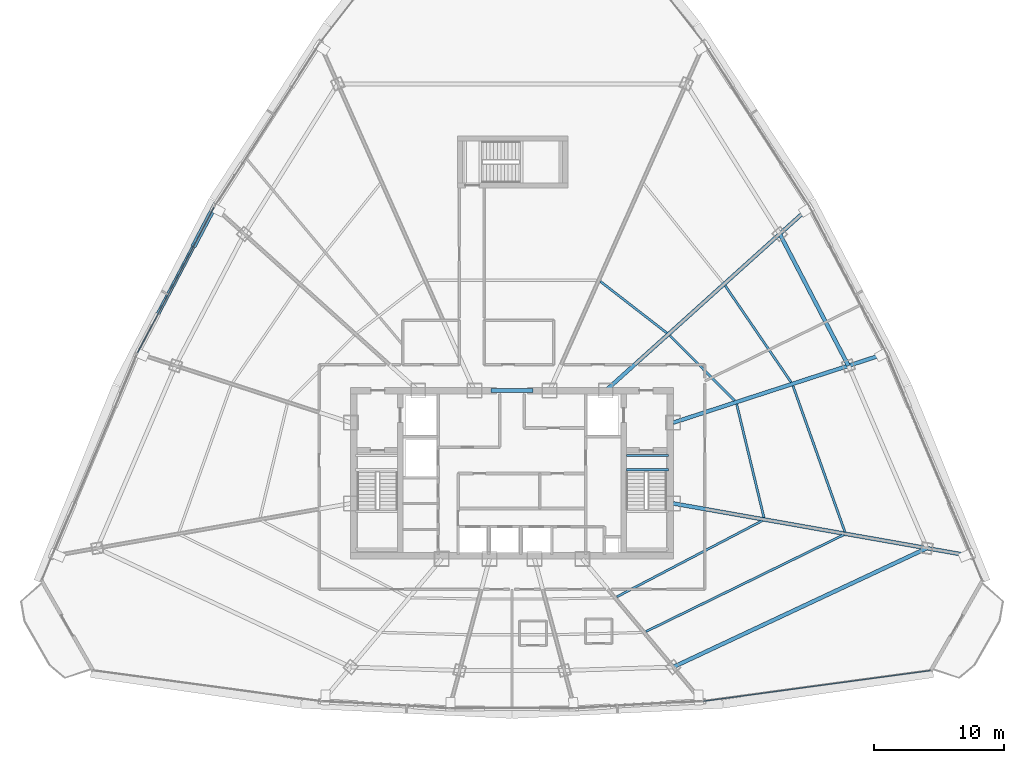
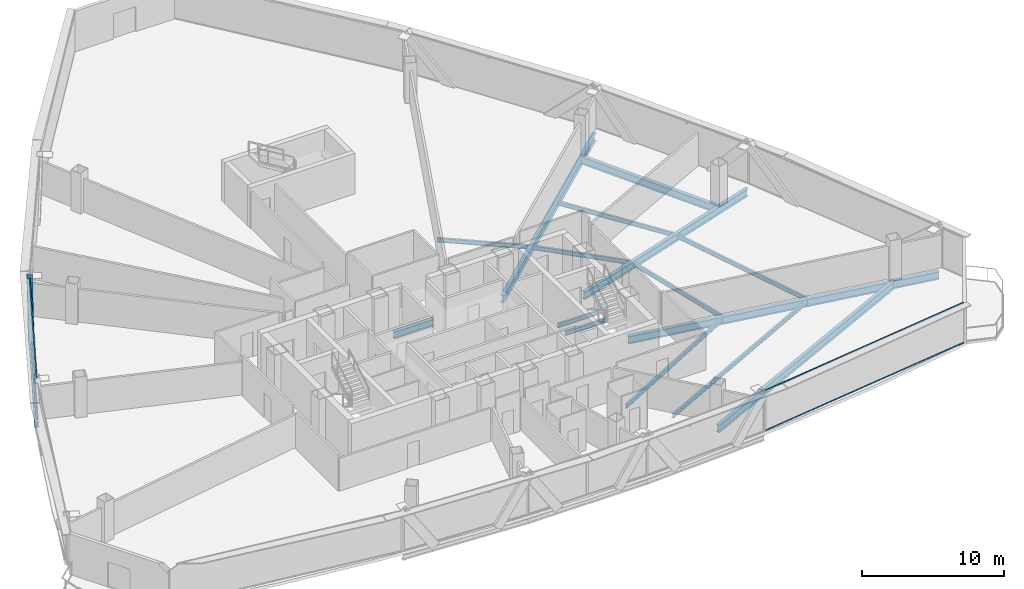
# One storey, part 13 of 35: 16 beams, 5 members, 2 elements without a shape of their own.
"""IFC4 building model written with IfcOpenShell, lengths in metres."""

from ifc_helpers import new_model, si_unit, direction, frame, origin, origin_2d, place, context, subcontext, project, spatial, hollow_rectangle, i_section, extrude, source, transform, mapped, material, layer, layer_set, material_profile, profile_set, type_object, element, aggregate, save


model = new_model("IFC4")

# Units and contexts
model_context = context("Model", 3, precision=1e-05, world=origin(), true_north=direction((0.0, 1.0)))
body_context = subcontext(model_context, "Body", "Model", "MODEL_VIEW")
ifc_project = project(units=[si_unit("LENGTHUNIT", "METRE"), si_unit("AREAUNIT", "SQUARE_METRE"), si_unit("VOLUMEUNIT", "CUBIC_METRE"), si_unit("PLANEANGLEUNIT", "RADIAN"), si_unit("MASSUNIT", "GRAM", prefix="KILO"), si_unit("THERMODYNAMICTEMPERATUREUNIT", "KELVIN"), si_unit("POWERUNIT", "WATT")], contexts=[model_context])

# Site, building, storey
site_placement = place(None, origin())
site = spatial("IfcSite", under=ifc_project, at=site_placement, CompositionType="ELEMENT")
building_placement = place(site_placement, origin())
building = spatial("IfcBuilding", under=site, at=building_placement, Name="Yunzhuo Pagoda Commons", CompositionType="ELEMENT")
storey_placement = place(building_placement, frame((0.0, 0.0, 237.070068359375)))
storey = spatial("IfcBuildingStorey", under=building, at=storey_placement, Name="L59", CompositionType="ELEMENT", Elevation=237.070068359375)

# Beams
ifc_material_1 = material(Name="Structural steel Q355B", Category="steel")
ifc_material_profile_1 = material_profile(ifc_material_1, i_section(OverallWidth=0.175048828125, OverallDepth=0.35009765625, WebThickness=0.007080078125, FlangeThickness=0.010986328125, at=origin_2d()), Name="Structural steel Q355B")
ifc_profile_set_1 = profile_set([ifc_material_profile_1], Name="Structural steel Q355B")
beam_type_1 = type_object("IfcBeamType", Name="B-JS2 Joist HN 350x175x7x11", PredefinedType="JOIST", material=ifc_profile_set_1)
shared_shape_1 = source(origin(), body_context, "Body", "SweptSolid", [
    extrude(i_section(OverallWidth=0.175048828125, OverallDepth=0.35009765625, WebThickness=0.007080078125, FlangeThickness=0.010986328125, at=origin_2d()), origin(), (0.0, 0.0, 1.0), 3.25),
])
for number, where, z_axis, x_axis, name in (
    (1, (56.800048828125, 34.10009765625, -0.375), (1.0, 0.0, 0.0), (0.0, 1.0, 0.0), "L59 ST2 landing support beam 163A"),
    (2, (56.800048828125, 35.199951171875, -0.375), (1.0, 0.0, 0.0), (0.0, 1.0, 0.0), "L59 ST2 landing support beam 163B"),
):
    element("IfcBeam", number, at=place(storey_placement, frame(where, z_axis=z_axis, x_axis=x_axis)), inside=storey, type_object=beam_type_1, Name=name, PredefinedType="JOIST", context=body_context, shape_type="MappedRepresentation", body=[
        mapped(shared_shape_1, transform((0.0, 0.0, 0.0), scale=1.0)),
    ])
ifc_material_2 = material(Name="Structural steel Q420B", Category="steel")
ifc_material_profile_2 = material_profile(ifc_material_2, i_section(OverallWidth=0.300048828125, OverallDepth=0.587890625, WebThickness=0.011962890625, FlangeThickness=0.02001953125, at=origin_2d()), Name="Structural steel Q420B")
ifc_profile_set_2 = profile_set([ifc_material_profile_2], Name="Structural steel Q420B")
beam_type_2 = type_object("IfcBeamType", Name="B-CPL Beam HM 588x300x12x20", PredefinedType="BEAM", material=ifc_profile_set_2)
shared_shape_2 = source(origin(), body_context, "Body", "SweptSolid", [
    extrude(i_section(OverallWidth=0.300048828125, OverallDepth=0.587890625, WebThickness=0.011962890625, FlangeThickness=0.02001953125, at=origin_2d()), origin(), (0.0, 0.0, 1.0), 3.2001953125),
])
beam_1_placement = place(storey_placement, frame((46.39990234375, 40.199951171875, -0.553955078125), z_axis=(1.0, 0.0, 0.0), x_axis=(0.0, 1.0, 0.0)))
element("IfcBeam", 3, at=beam_1_placement, inside=storey, type_object=beam_type_2, Name="L59 core coupling girder", PredefinedType="BEAM", context=body_context, shape_type="MappedRepresentation", body=[
    mapped(shared_shape_2, transform((0.0, 0.0, 0.0), scale=1.0)),
])
ifc_material_profile_3 = material_profile(ifc_material_1, i_section(OverallWidth=0.300048828125, OverallDepth=0.43994140625, WebThickness=0.010986328125, FlangeThickness=0.01806640625, at=origin_2d()), Name="Structural steel Q355B")
ifc_profile_set_3 = profile_set([ifc_material_profile_3], Name="Structural steel Q355B")
beam_type_3 = type_object("IfcBeamType", Name="B-SP2 Beam HM 440x300x11x18", PredefinedType="BEAM", material=ifc_profile_set_3)
shared_shape_3 = source(origin(), body_context, "Body", "SweptSolid", [
    extrude(i_section(OverallWidth=0.300048828125, OverallDepth=0.43994140625, WebThickness=0.010986328125, FlangeThickness=0.01806640625, at=origin_2d()), origin(), (0.0, 0.0, 1.0), 12.72802734375),
])
beam_2_placement = place(storey_placement, frame((25.07861328125, 54.33837890625, -0.47998046875), z_axis=(-0.465335297966, -0.88513448722, 0.0), x_axis=(0.88513448722, -0.465335297966, 0.0)))
element("IfcBeam", 4, at=beam_2_placement, inside=storey, type_object=beam_type_3, Name="L59 facade edge spandrel beam F3.2", PredefinedType="BEAM", context=body_context, shape_type="MappedRepresentation", body=[
    mapped(shared_shape_3, transform((0.0, 0.0, 0.0), scale=1.0)),
])
ifc_material_profile_4 = material_profile(ifc_material_1, i_section(OverallWidth=0.300048828125, OverallDepth=0.64990234375, WebThickness=0.012939453125, FlangeThickness=0.02197265625, at=origin_2d()), Name="Structural steel Q355B")
ifc_profile_set_4 = profile_set([ifc_material_profile_4], Name="Structural steel Q355B")
beam_type_4 = type_object("IfcBeamType", Name="B-RG2 Beam HN 650x300x13x22", PredefinedType="BEAM", material=ifc_profile_set_4)
shared_shape_4 = source(origin(), body_context, "Body", "SweptSolid", [
    extrude(i_section(OverallWidth=0.300048828125, OverallDepth=0.64990234375, WebThickness=0.012939453125, FlangeThickness=0.02197265625, at=origin_2d()), origin(), (0.0, 0.0, 1.0), 21.56689453125),
])
beam_3_placement = place(storey_placement, frame((60.406982421875, 18.913818359375, -0.5849609375), z_axis=(0.905424265365, 0.424507832304, 0.0), x_axis=(-0.424507832304, 0.905424265365, 0.0)))
element("IfcBeam", 5, at=beam_3_placement, inside=storey, type_object=beam_type_4, Name="L59 column-ring beam 4", PredefinedType="BEAM", context=body_context, shape_type="MappedRepresentation", body=[
    mapped(shared_shape_4, transform((0.0, 0.0, 0.0), scale=1.0)),
])
shared_shape_5 = source(origin(), body_context, "Body", "SweptSolid", [
    extrude(i_section(OverallWidth=0.300048828125, OverallDepth=0.64990234375, WebThickness=0.012939453125, FlangeThickness=0.02197265625, at=origin_2d()), origin(), (0.0, 0.0, 1.0), 11.43896484375),
])
beam_4_placement = place(storey_placement, frame((73.898681640625, 42.114990234375, -0.5849609375), z_axis=(-0.462175736513, 0.886788356136, 0.0), x_axis=(-0.886788356136, -0.462175736513, 0.0)))
element("IfcBeam", 6, at=beam_4_placement, inside=storey, type_object=beam_type_4, Name="L59 column-ring beam 6", PredefinedType="BEAM", context=body_context, shape_type="MappedRepresentation", body=[
    mapped(shared_shape_5, transform((0.0, 0.0, 0.0), scale=1.0)),
])
shared_shape_6 = source(origin(), body_context, "Body", "SweptSolid", [
    extrude(i_section(OverallWidth=0.300048828125, OverallDepth=0.64990234375, WebThickness=0.012939453125, FlangeThickness=0.02197265625, at=origin_2d()), origin(), (0.0, 0.0, 1.0), 23.22265625),
])
beam_5_placement = place(storey_placement, frame((83.269775390625, 27.48095703125, -0.5849609375), z_axis=(-0.984808525924, 0.173643794211, 0.0), x_axis=(-0.173643794211, -0.984808525924, 0.0)))
element("IfcBeam", 7, at=beam_5_placement, inside=storey, type_object=beam_type_4, Name="L59 radial floor girder F2C1", PredefinedType="BEAM", context=body_context, shape_type="MappedRepresentation", body=[
    mapped(shared_shape_6, transform((0.0, 0.0, 0.0), scale=1.0)),
])
shared_shape_7 = source(origin(), body_context, "Body", "SweptSolid", [
    extrude(i_section(OverallWidth=0.300048828125, OverallDepth=0.64990234375, WebThickness=0.012939453125, FlangeThickness=0.02197265625, at=origin_2d()), origin(), (0.0, 0.0, 1.0), 17.135986328125),
])
beam_6_placement = place(storey_placement, frame((76.697265625, 43.024169921875, -0.5849609375), z_axis=(-0.951059402888, -0.309008110214, 0.0), x_axis=(0.309008110214, -0.951059402888, 0.0)))
element("IfcBeam", 8, at=beam_6_placement, inside=storey, type_object=beam_type_4, Name="L59 radial floor girder F2C2", PredefinedType="BEAM", context=body_context, shape_type="MappedRepresentation", body=[
    mapped(shared_shape_7, transform((0.0, 0.0, 0.0), scale=1.0)),
])
shared_shape_8 = source(origin(), body_context, "Body", "SweptSolid", [
    extrude(i_section(OverallWidth=0.300048828125, OverallDepth=0.64990234375, WebThickness=0.012939453125, FlangeThickness=0.02197265625, at=origin_2d()), origin(), (0.0, 0.0, 1.0), 20.974609375),
])
beam_7_placement = place(storey_placement, frame((70.80615234375, 54.23486328125, -0.5849609375), z_axis=(-0.743140751916, -0.669135130479, 0.0), x_axis=(0.669135130479, -0.743140751916, 0.0)))
element("IfcBeam", 9, at=beam_7_placement, inside=storey, type_object=beam_type_4, Name="L59 radial floor girder F2C3", PredefinedType="BEAM", context=body_context, shape_type="MappedRepresentation", body=[
    mapped(shared_shape_8, transform((0.0, 0.0, 0.0), scale=1.0)),
])
shared_shape_9 = source(origin(), body_context, "Body", "SweptSolid", [
    extrude(i_section(OverallWidth=0.175048828125, OverallDepth=0.35009765625, WebThickness=0.007080078125, FlangeThickness=0.010986328125, at=origin_2d()), origin(), (0.0, 0.0, 1.0), 12.666259765625),
])
beam_8_placement = place(storey_placement, frame((56.0712890625, 24.32275390625, -0.43505859375), z_axis=(0.885841344078, 0.463988268302, 0.0), x_axis=(-0.463988268302, 0.885841344078, 0.0)))
element("IfcBeam", 10, at=beam_8_placement, inside=storey, type_object=beam_type_1, Name="L59 composite ring joist 1.4", PredefinedType="JOIST", context=body_context, shape_type="MappedRepresentation", body=[
    mapped(shared_shape_9, transform((0.0, 0.0, 0.0), scale=1.0)),
])
shared_shape_10 = source(origin(), body_context, "Body", "SweptSolid", [
    extrude(i_section(OverallWidth=0.175048828125, OverallDepth=0.35009765625, WebThickness=0.007080078125, FlangeThickness=0.010986328125, at=origin_2d()), origin(), (0.0, 0.0, 1.0), 16.95361328125),
])
beam_9_placement = place(storey_placement, frame((58.3115234375, 21.6513671875, -0.43505859375), z_axis=(0.898261717675, 0.439460904473, 0.0), x_axis=(-0.439460904473, 0.898261717675, 0.0)))
element("IfcBeam", 11, at=beam_9_placement, inside=storey, type_object=beam_type_1, Name="L59 composite ring joist 2.4", PredefinedType="JOIST", context=body_context, shape_type="MappedRepresentation", body=[
    mapped(shared_shape_10, transform((0.0, 0.0, 0.0), scale=1.0)),
])
shared_shape_11 = source(origin(), body_context, "Body", "SweptSolid", [
    extrude(i_section(OverallWidth=0.175048828125, OverallDepth=0.35009765625, WebThickness=0.007080078125, FlangeThickness=0.010986328125, at=origin_2d()), origin(), (0.0, 0.0, 1.0), 8.973876953125),
])
beam_10_placement = place(storey_placement, frame((67.395263671875, 30.42822265625, -0.43505859375), z_axis=(-0.233858589105, 0.972270620919, 0.0), x_axis=(-0.972270620919, -0.233858589105, 0.0)))
element("IfcBeam", 12, at=beam_10_placement, inside=storey, type_object=beam_type_1, Name="L59 composite ring joist 1.5", PredefinedType="JOIST", context=body_context, shape_type="MappedRepresentation", body=[
    mapped(shared_shape_11, transform((0.0, 0.0, 0.0), scale=1.0)),
])
shared_shape_12 = source(origin(), body_context, "Body", "SweptSolid", [
    extrude(i_section(OverallWidth=0.175048828125, OverallDepth=0.35009765625, WebThickness=0.007080078125, FlangeThickness=0.010986328125, at=origin_2d()), origin(), (0.0, 0.0, 1.0), 11.929931640625),
])
beam_11_placement = place(storey_placement, frame((73.6298828125, 29.3212890625, -0.43505859375), z_axis=(-0.335086374925, 0.942187413066, 0.0), x_axis=(-0.942187413066, -0.335086374925, 0.0)))
element("IfcBeam", 13, at=beam_11_placement, inside=storey, type_object=beam_type_1, Name="L59 composite ring joist 2.5", PredefinedType="JOIST", context=body_context, shape_type="MappedRepresentation", body=[
    mapped(shared_shape_12, transform((0.0, 0.0, 0.0), scale=1.0)),
])
shared_shape_13 = source(origin(), body_context, "Body", "SweptSolid", [
    extrude(i_section(OverallWidth=0.175048828125, OverallDepth=0.35009765625, WebThickness=0.007080078125, FlangeThickness=0.010986328125, at=origin_2d()), origin(), (0.0, 0.0, 1.0), 7.0732421875),
])
beam_12_placement = place(storey_placement, frame((65.147216796875, 39.42041015625, -0.43505859375), z_axis=(-0.706139657206, 0.708072584218, 0.0), x_axis=(-0.708072584218, -0.706139657206, 0.0)))
element("IfcBeam", 14, at=beam_12_placement, inside=storey, type_object=beam_type_1, Name="L59 composite ring joist 1.6", PredefinedType="JOIST", context=body_context, shape_type="MappedRepresentation", body=[
    mapped(shared_shape_13, transform((0.0, 0.0, 0.0), scale=1.0)),
])
shared_shape_14 = source(origin(), body_context, "Body", "SweptSolid", [
    extrude(i_section(OverallWidth=0.175048828125, OverallDepth=0.35009765625, WebThickness=0.007080078125, FlangeThickness=0.010986328125, at=origin_2d()), origin(), (0.0, 0.0, 1.0), 8.99365234375),
])
beam_13_placement = place(storey_placement, frame((69.4892578125, 40.8427734375, -0.43505859375), z_axis=(-0.564098900337, 0.825707230584, 0.0), x_axis=(-0.825707230584, -0.564098900337, 0.0)))
element("IfcBeam", 15, at=beam_13_placement, inside=storey, type_object=beam_type_1, Name="L59 composite ring joist 2.6", PredefinedType="JOIST", context=body_context, shape_type="MappedRepresentation", body=[
    mapped(shared_shape_14, transform((0.0, 0.0, 0.0), scale=1.0)),
])
shared_shape_15 = source(origin(), body_context, "Body", "SweptSolid", [
    extrude(i_section(OverallWidth=0.175048828125, OverallDepth=0.35009765625, WebThickness=0.007080078125, FlangeThickness=0.010986328125, at=origin_2d()), origin(), (0.0, 0.0, 1.0), 6.4677734375),
])
beam_14_placement = place(storey_placement, frame((59.914794921875, 44.638671875, -0.43505859375), z_axis=(-0.790160481991, 0.612900002202, 0.0), x_axis=(-0.612900002202, -0.790160481991, 0.0)))
element("IfcBeam", 16, at=beam_14_placement, inside=storey, type_object=beam_type_1, Name="L59 composite ring joist 1.7", PredefinedType="JOIST", context=body_context, shape_type="MappedRepresentation", body=[
    mapped(shared_shape_15, transform((0.0, 0.0, 0.0), scale=1.0)),
])

# Member
ifc_material_profile_5 = material_profile(ifc_material_1, hollow_rectangle(XDim=0.39990234375, YDim=0.719970703125, WallThickness=0.02392578125, at=origin_2d()), Name="Structural steel Q355B")
ifc_profile_set_5 = profile_set([ifc_material_profile_5], Name="Structural steel Q355B")
member_type_1 = type_object("IfcMemberType", Name="M-DL2 Brace BOX 720x400x24", PredefinedType="BRACE", material=ifc_profile_set_5)
shared_shape_16 = source(origin(), body_context, "Body", "SweptSolid", [
    extrude(hollow_rectangle(XDim=0.39990234375, YDim=0.719970703125, WallThickness=0.02392578125, at=origin_2d()), origin(), (0.0, 0.0, 1.0), 4.90283203125),
])
member_1_placement = place(storey_placement, frame((23.597900390625, 51.52197265625, -0.260009765625), z_axis=(0.30201396814, 0.574448991998, 0.76078638174), x_axis=(-0.885126179931, 0.465351099279, 0.0)))
element("IfcMember", 17, at=member_1_placement, inside=storey, type_object=member_type_1, Name="L59 facade diamond brace F3.2L", PredefinedType="BRACE", context=body_context, shape_type="MappedRepresentation", body=[
    mapped(shared_shape_16, transform((0.0, 0.0, 0.0), scale=1.0)),
])

# Curtain wall, members
ifc_material_3 = material(Name="Anodized aluminium 6063-T6", Category="aluminium")
ifc_layer = layer(ifc_material_3, 0.139892578125)
ifc_layer_set = layer_set([ifc_layer], Name="Anodized aluminium 6063-T6")
curtain_wall_type = type_object("IfcCurtainWallType", Name="CW-HI High-Zone Ribbon Curtain Wall", PredefinedType="NOTDEFINED", material=ifc_layer_set)
curtain_wall_1_placement = place(storey_placement, origin())
curtain_wall_1 = element("IfcCurtainWall", 18, at=curtain_wall_1_placement, inside=storey, type_object=curtain_wall_type, Name="L59 curtain wall CW-L59-F1B5", PredefinedType="NOTDEFINED")
ifc_material_profile_6 = material_profile(ifc_material_3, hollow_rectangle(XDim=0.054931640625, YDim=0.1201171875, WallThickness=0.00341796875, at=origin_2d()), Name="Anodized aluminium 6063-T6")
ifc_profile_set_6 = profile_set([ifc_material_profile_6], Name="Anodized aluminium 6063-T6")
member_type_2 = type_object("IfcMemberType", Name="CW-HI-T Transom RHS 120x55x3.5", PredefinedType="USERDEFINED", material=ifc_profile_set_6)
shared_shape_17 = source(origin(), body_context, "Body", "SweptSolid", [
    extrude(hollow_rectangle(XDim=0.054931640625, YDim=0.1201171875, WallThickness=0.00341796875, at=origin_2d()), origin(), (0.0, 0.0, 1.0), 17.590087890625),
])
member_2_placement = place(storey_placement, frame((62.75634765625, 16.29150390625, 0.02734375), z_axis=(0.990991783223, 0.133922685102, 0.0), x_axis=(-0.133922685102, 0.990991783223, 0.0)))
member_2 = element("IfcMember", 19, at=member_2_placement, type_object=member_type_2, Name="CW transom 1.1", ObjectType="TRANSOM", PredefinedType="USERDEFINED", context=body_context, shape_type="MappedRepresentation", body=[
    mapped(shared_shape_17, transform((0.0, 0.0, 0.0), scale=1.0)),
])
member_3_placement = place(storey_placement, frame((62.75634765625, 16.29150390625, 3.4423828125), z_axis=(0.990991783223, 0.133922685102, 0.0), x_axis=(-0.133922685102, 0.990991783223, 0.0)))
member_3 = element("IfcMember", 20, at=member_3_placement, type_object=member_type_2, Name="CW transom 1.2", ObjectType="TRANSOM", PredefinedType="USERDEFINED", context=body_context, shape_type="MappedRepresentation", body=[
    mapped(shared_shape_17, transform((0.0, 0.0, 0.0), scale=1.0)),
])
aggregate(curtain_wall_1, [member_2, member_3])

curtain_wall_2_placement = place(storey_placement, origin())
curtain_wall_2 = element("IfcCurtainWall", 21, at=curtain_wall_2_placement, inside=storey, type_object=curtain_wall_type, Name="L59 curtain wall CW-L59-F3B3", PredefinedType="NOTDEFINED")
shared_shape_18 = source(origin(), body_context, "Body", "SweptSolid", [
    extrude(hollow_rectangle(XDim=0.054931640625, YDim=0.1201171875, WallThickness=0.00341796875, at=origin_2d()), origin(), (0.0, 0.0, 1.0), 12.6083984375),
])
member_4_placement = place(storey_placement, frame((25.05078125, 54.285400390625, 0.02734375), z_axis=(-0.465337780668, -0.885133182003, 0.0), x_axis=(0.885133182003, -0.465337780668, 0.0)))
member_4 = element("IfcMember", 22, at=member_4_placement, type_object=member_type_2, Name="CW transom 1.1", ObjectType="TRANSOM", PredefinedType="USERDEFINED", context=body_context, shape_type="MappedRepresentation", body=[
    mapped(shared_shape_18, transform((0.0, 0.0, 0.0), scale=1.0)),
])
member_5_placement = place(storey_placement, frame((25.05078125, 54.285400390625, 3.4423828125), z_axis=(-0.465337780668, -0.885133182003, 0.0), x_axis=(0.885133182003, -0.465337780668, 0.0)))
member_5 = element("IfcMember", 23, at=member_5_placement, type_object=member_type_2, Name="CW transom 1.2", ObjectType="TRANSOM", PredefinedType="USERDEFINED", context=body_context, shape_type="MappedRepresentation", body=[
    mapped(shared_shape_18, transform((0.0, 0.0, 0.0), scale=1.0)),
])
aggregate(curtain_wall_2, [member_4, member_5])

save(model, "model.ifc")
